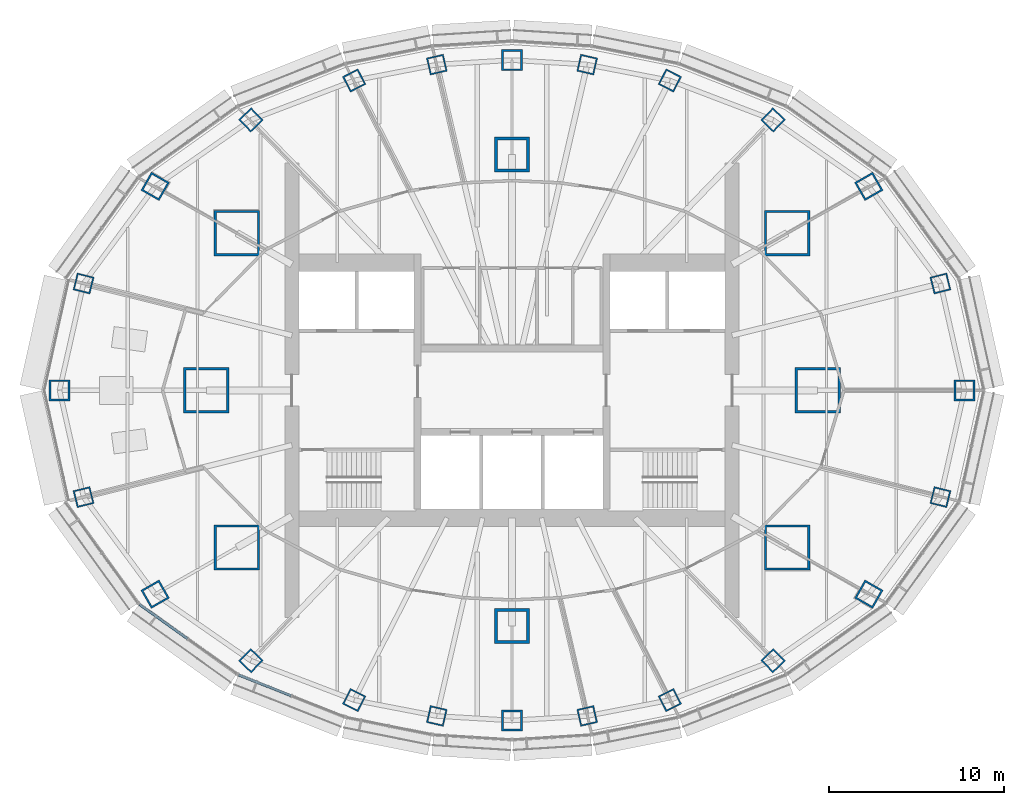
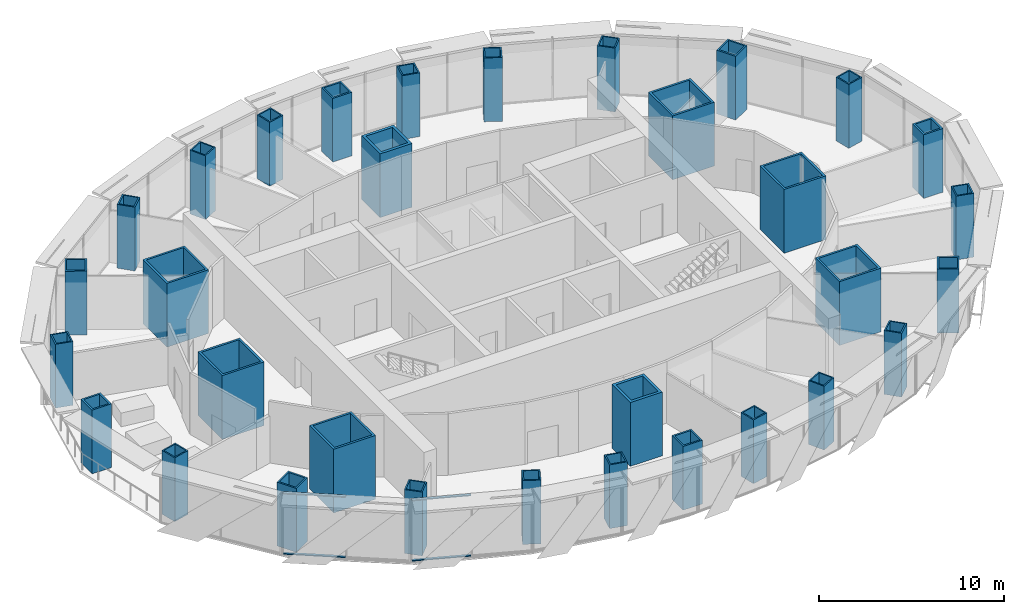
# One storey, part 1 of 16: 32 columns, 4 members, 2 elements without a shape of their own.
"""IFC4 building model written with IfcOpenShell, lengths in metres."""

from ifc_helpers import new_model, si_unit, direction, frame, origin, origin_2d, place, context, subcontext, project, spatial, rectangle, hollow_rectangle, extrude, material, material_profile, profile_set, type_object, element, aggregate, save


model = new_model("IFC4")

# Units and contexts
model_context = context("Model", 3, precision=1e-05, world=origin(), true_north=direction((0.0, 1.0)))
body_context = subcontext(model_context, "Body", "Model", "MODEL_VIEW")
ifc_project = project(units=[si_unit("LENGTHUNIT", "METRE"), si_unit("AREAUNIT", "SQUARE_METRE"), si_unit("VOLUMEUNIT", "CUBIC_METRE"), si_unit("PLANEANGLEUNIT", "RADIAN"), si_unit("MASSUNIT", "GRAM", prefix="KILO")], contexts=[model_context])

# Site, building, storey
site_placement = place(None, origin())
site = spatial("IfcSite", under=ifc_project, at=site_placement, CompositionType="ELEMENT")
building_placement = place(site_placement, origin())
building = spatial("IfcBuilding", under=site, at=building_placement, Name="Lantaw Convention Tower", CompositionType="ELEMENT")
storey_placement = place(building_placement, frame((0.0, 0.0, 232.60009765625)))
storey = spatial("IfcBuildingStorey", under=building, at=storey_placement, Name="L54", CompositionType="ELEMENT", Elevation=232.60009765625)

# Columns
ifc_material_1 = material(Name="Steel EN 10025-3 S460N", Category="steel")
ifc_material_profile_1 = material_profile(ifc_material_1, hollow_rectangle(XDim=2.0, YDim=2.0, WallThickness=0.169921875, at=origin_2d()), Name="BOX2000X170")
ifc_material_2 = material(Name="Concrete C60/75", Category="concrete")
ifc_material_profile_2 = material_profile(ifc_material_2, rectangle(XDim=1.659912109375, YDim=1.659912109375, at=origin_2d()), Name="Concrete fill of BOX2000X170")
ifc_profile_set_1 = profile_set([ifc_material_profile_1, ifc_material_profile_2], Name="Steel EN 10025-3 S460N")
column_type_1 = type_object("IfcColumnType", Name="Column MC BOX2000X170", PredefinedType="COLUMN", material=ifc_profile_set_1)
for number, where, z_axis, x_axis, name in (
    (1, (0.0, 13.5, 0.0), (0.0, 0.0, 1.0), (1.0, 0.0, 0.0), "Mega column M3"),
    (2, (0.0, -13.5, 0.0), (0.0, 0.0, 1.0), (1.0, 0.0, 0.0), "Mega column M7"),
):
    element("IfcColumn", number, at=place(storey_placement, frame(where, z_axis=z_axis, x_axis=x_axis)), inside=storey, type_object=column_type_1, Name=name, PredefinedType="COLUMN", context=body_context, shape_type="SweptSolid", body=[
        extrude(hollow_rectangle(XDim=2.0, YDim=2.0, WallThickness=0.169921875, at=origin_2d()), origin(), (0.0, 0.0, 1.0), 4.199951171875),
    ])
ifc_material_profile_3 = material_profile(ifc_material_1, hollow_rectangle(XDim=2.60009765625, YDim=2.60009765625, WallThickness=0.1298828125, at=origin_2d()), Name="BOX2600X130")
ifc_material_profile_4 = material_profile(ifc_material_2, rectangle(XDim=2.340087890625, YDim=2.340087890625, at=origin_2d()), Name="Concrete fill of BOX2600X130")
ifc_profile_set_2 = profile_set([ifc_material_profile_3, ifc_material_profile_4], Name="Steel EN 10025-3 S460N")
column_type_2 = type_object("IfcColumnType", Name="Column MC BOX2600X130", PredefinedType="COLUMN", material=ifc_profile_set_2)
for number, where, z_axis, x_axis, name in (
    (3, (17.5, 0.0, 0.0), (0.0, 0.0, 1.0), (1.0, 0.0, 0.0), "Mega column M1"),
    (4, (15.75, 9.0, 0.0), (0.0, 0.0, 1.0), (1.0, 0.0, 0.0), "Mega column M2"),
    (5, (-15.75, 9.0, 0.0), (0.0, 0.0, 1.0), (1.0, 0.0, 0.0), "Mega column M4"),
    (6, (-17.5, 0.0, 0.0), (0.0, 0.0, 1.0), (1.0, 0.0, 0.0), "Mega column M5"),
    (7, (-15.75, -9.0, 0.0), (0.0, 0.0, 1.0), (1.0, 0.0, 0.0), "Mega column M6"),
    (8, (15.75, -9.0, 0.0), (0.0, 0.0, 1.0), (1.0, 0.0, 0.0), "Mega column M8"),
):
    element("IfcColumn", number, at=place(storey_placement, frame(where, z_axis=z_axis, x_axis=x_axis)), inside=storey, type_object=column_type_2, Name=name, PredefinedType="COLUMN", context=body_context, shape_type="SweptSolid", body=[
        extrude(hollow_rectangle(XDim=2.60009765625, YDim=2.60009765625, WallThickness=0.1298828125, at=origin_2d()), origin(), (0.0, 0.0, 1.0), 4.199951171875),
    ])
ifc_material_3 = material(Name="Steel ASTM A572 Grade 50", Category="steel")
ifc_material_profile_5 = material_profile(ifc_material_3, hollow_rectangle(XDim=1.0, YDim=1.0, WallThickness=0.080078125, at=origin_2d()), Name="BOX1000X80")
ifc_material_profile_6 = material_profile(ifc_material_2, rectangle(XDim=0.840087890625, YDim=0.840087890625, at=origin_2d()), Name="Concrete fill of BOX1000X80")
ifc_profile_set_3 = profile_set([ifc_material_profile_5, ifc_material_profile_6], Name="Steel ASTM A572 Grade 50")
column_type_3 = type_object("IfcColumnType", Name="Column PC BOX1000X80", PredefinedType="COLUMN", material=ifc_profile_set_3)
for number, where, z_axis, x_axis, name in (
    (9, (24.52197265625, 6.114013671875, 0.0), (0.0, 0.0, 1.0), (0.970295726276, 0.2419218956, 0.0), "Perimeter column P2"),
    (10, (14.9443359375, 15.475341796875, 0.0), (0.0, 0.0, 1.0), (0.694658370459, 0.719339800339, 0.0), "Perimeter column P4"),
    (11, (9.03466796875, 17.7314453125, 0.0), (0.0, 0.0, 1.0), (0.45399049974, 0.891006524188, 0.0), "Perimeter column P5"),
    (12, (4.303955078125, 18.64208984375, 0.0), (0.0, 0.0, 1.0), (0.224951054344, 0.974370064785, 0.0), "Perimeter column P6"),
    (13, (-4.303955078125, 18.64208984375, 0.0), (0.0, 0.0, 1.0), (0.974370064785, 0.224951054344, 0.0), "Perimeter column P8"),
    (14, (-9.03466796875, 17.7314453125, 0.0), (0.0, 0.0, 1.0), (0.891006524188, 0.45399049974, 0.0), "Perimeter column P9"),
    (15, (-14.9443359375, 15.475341796875, 0.0), (0.0, 0.0, 1.0), (0.719339800339, 0.694658370459, 0.0), "Perimeter column P10"),
    (16, (-24.52197265625, 6.114013671875, 0.0), (0.0, 0.0, 1.0), (0.2419218956, 0.970295726276, 0.0), "Perimeter column P12"),
    (17, (-24.52197265625, -6.114013671875, 0.0), (0.0, 0.0, 1.0), (0.970295726276, 0.2419218956, 0.0), "Perimeter column P14"),
    (18, (-14.9443359375, -15.475341796875, 0.0), (0.0, 0.0, 1.0), (0.694658370459, 0.719339800339, 0.0), "Perimeter column P16"),
    (19, (-9.03466796875, -17.7314453125, 0.0), (0.0, 0.0, 1.0), (0.45399049974, 0.891006524188, 0.0), "Perimeter column P17"),
    (20, (-4.303955078125, -18.64208984375, 0.0), (0.0, 0.0, 1.0), (0.224951054344, 0.974370064785, 0.0), "Perimeter column P18"),
    (21, (4.303955078125, -18.64208984375, 0.0), (0.0, 0.0, 1.0), (0.974370064785, 0.224951054344, 0.0), "Perimeter column P20"),
    (22, (9.03466796875, -17.7314453125, 0.0), (0.0, 0.0, 1.0), (0.891006524188, 0.45399049974, 0.0), "Perimeter column P21"),
    (23, (14.9443359375, -15.475341796875, 0.0), (0.0, 0.0, 1.0), (0.719339800339, 0.694658370459, 0.0), "Perimeter column P22"),
    (24, (24.52197265625, -6.114013671875, 0.0), (0.0, 0.0, 1.0), (0.2419218956, 0.970295726276, 0.0), "Perimeter column P24"),
):
    element("IfcColumn", number, at=place(storey_placement, frame(where, z_axis=z_axis, x_axis=x_axis)), inside=storey, type_object=column_type_3, Name=name, PredefinedType="COLUMN", context=body_context, shape_type="SweptSolid", body=[
        extrude(hollow_rectangle(XDim=1.0, YDim=1.0, WallThickness=0.080078125, at=origin_2d()), origin(), (0.0, 0.0, 1.0), 4.199951171875),
    ])
ifc_material_profile_7 = material_profile(ifc_material_1, hollow_rectangle(XDim=1.199951171875, YDim=1.199951171875, WallThickness=0.10009765625, at=origin_2d()), Name="BOX1200X100")
ifc_material_profile_8 = material_profile(ifc_material_2, rectangle(XDim=1.0, YDim=1.0, at=origin_2d()), Name="Concrete fill of BOX1200X100")
ifc_profile_set_4 = profile_set([ifc_material_profile_7, ifc_material_profile_8], Name="Steel EN 10025-3 S460N")
column_type_4 = type_object("IfcColumnType", Name="Column PC BOX1200X100", PredefinedType="COLUMN", material=ifc_profile_set_4)
for number, where, z_axis, x_axis, name in (
    (25, (25.89990234375, 0.0, 0.0), (0.0, 0.0, 1.0), (1.0, 0.0, 0.0), "Perimeter column P1"),
    (26, (20.423095703125, 11.67041015625, 0.0), (0.0, 0.0, 1.0), (0.86824298017, 0.496139221777, 0.0), "Perimeter column P3"),
    (27, (0.0, 18.89990234375, 0.0), (0.0, 0.0, 1.0), (1.0, 0.0, 0.0), "Perimeter column P7"),
    (28, (-20.423095703125, 11.67041015625, 0.0), (0.0, 0.0, 1.0), (0.496139221777, 0.86824298017, 0.0), "Perimeter column P11"),
    (29, (-25.89990234375, 0.0, 0.0), (0.0, 0.0, 1.0), (1.0, 0.0, 0.0), "Perimeter column P13"),
    (30, (-20.423095703125, -11.67041015625, 0.0), (0.0, 0.0, 1.0), (0.86824298017, 0.496139221777, 0.0), "Perimeter column P15"),
    (31, (0.0, -18.89990234375, 0.0), (0.0, 0.0, 1.0), (1.0, 0.0, 0.0), "Perimeter column P19"),
    (32, (20.423095703125, -11.67041015625, 0.0), (0.0, 0.0, 1.0), (0.496139221777, 0.86824298017, 0.0), "Perimeter column P23"),
):
    element("IfcColumn", number, at=place(storey_placement, frame(where, z_axis=z_axis, x_axis=x_axis)), inside=storey, type_object=column_type_4, Name=name, PredefinedType="COLUMN", context=body_context, shape_type="SweptSolid", body=[
        extrude(hollow_rectangle(XDim=1.199951171875, YDim=1.199951171875, WallThickness=0.10009765625, at=origin_2d()), origin(), (0.0, 0.0, 1.0), 4.199951171875),
    ])

# Curtain wall, members
ifc_material_4 = material(Name="Aluminium framed curtain wall", Category="aluminium")
curtain_wall_type = type_object("IfcCurtainWallType", Name="Office curtain wall high rise, pale aluminium", PredefinedType="USERDEFINED", material=ifc_material_4)
curtain_wall_1_placement = place(storey_placement, origin())
curtain_wall_1 = element("IfcCurtainWall", 33, at=curtain_wall_1_placement, inside=storey, type_object=curtain_wall_type, Name="Office curtain wall high rise, pale aluminium L54", ObjectType="UNITISED CURTAIN WALL", PredefinedType="USERDEFINED")
ifc_material_5 = material(Name="Aluminium 6063-T6", Category="aluminium")
ifc_material_profile_9 = material_profile(ifc_material_5, rectangle(XDim=0.14990234375, YDim=0.06494140625, at=origin_2d()), Name="CW-O2 transom 65x150")
ifc_profile_set_5 = profile_set([ifc_material_profile_9], Name="Aluminium 6063-T6")
member_type = type_object("IfcMemberType", Name="CW-O2 transom 65x150", PredefinedType="USERDEFINED", material=ifc_profile_set_5)
member_1_placement = place(storey_placement, frame((-21.3251953125, -12.25390625, 0.032470703125), z_axis=(0.813679882592, -0.581313210468, 0.0), x_axis=(0.581313210468, 0.813679882592, 0.0)))
member_1 = element("IfcMember", 34, at=member_1_placement, type_object=member_type, Name="CW-O2 transom 1.1", ObjectType="TRANSOM", PredefinedType="USERDEFINED", context=body_context, shape_type="SweptSolid", body=[
    extrude(rectangle(XDim=0.14990234375, YDim=0.06494140625, at=origin_2d()), origin(), (0.0, 0.0, 1.0), 3.38623046875),
])
member_2_placement = place(storey_placement, frame((-21.3251953125, -12.25390625, 4.017333984375), z_axis=(0.813679882592, -0.581313210468, 0.0), x_axis=(0.581313210468, 0.813679882592, 0.0)))
member_2 = element("IfcMember", 35, at=member_2_placement, type_object=member_type, Name="CW-O2 transom 1.2", ObjectType="TRANSOM", PredefinedType="USERDEFINED", context=body_context, shape_type="SweptSolid", body=[
    extrude(rectangle(XDim=0.14990234375, YDim=0.06494140625, at=origin_2d()), origin(), (0.0, 0.0, 1.0), 3.38623046875),
])
aggregate(curtain_wall_1, [member_1, member_2])

curtain_wall_2_placement = place(storey_placement, origin())
curtain_wall_2 = element("IfcCurtainWall", 36, at=curtain_wall_2_placement, inside=storey, type_object=curtain_wall_type, Name="Office curtain wall high rise, pale aluminium L54", ObjectType="UNITISED CURTAIN WALL", PredefinedType="USERDEFINED")
member_3_placement = place(storey_placement, frame((-15.648193359375, -16.29052734375, 0.032470703125), z_axis=(0.929740712354, -0.368214893495, 0.0), x_axis=(0.368214893495, 0.929740712354, 0.0)))
member_3 = element("IfcMember", 37, at=member_3_placement, type_object=member_type, Name="CW-O2 transom 1.1", ObjectType="TRANSOM", PredefinedType="USERDEFINED", context=body_context, shape_type="SweptSolid", body=[
    extrude(rectangle(XDim=0.14990234375, YDim=0.06494140625, at=origin_2d()), origin(), (0.0, 0.0, 1.0), 3.22314453125),
])
member_4_placement = place(storey_placement, frame((-15.648193359375, -16.29052734375, 4.017333984375), z_axis=(0.929740712354, -0.368214893495, 0.0), x_axis=(0.368214893495, 0.929740712354, 0.0)))
member_4 = element("IfcMember", 38, at=member_4_placement, type_object=member_type, Name="CW-O2 transom 1.2", ObjectType="TRANSOM", PredefinedType="USERDEFINED", context=body_context, shape_type="SweptSolid", body=[
    extrude(rectangle(XDim=0.14990234375, YDim=0.06494140625, at=origin_2d()), origin(), (0.0, 0.0, 1.0), 3.22314453125),
])
aggregate(curtain_wall_2, [member_3, member_4])

save(model, "model.ifc")
